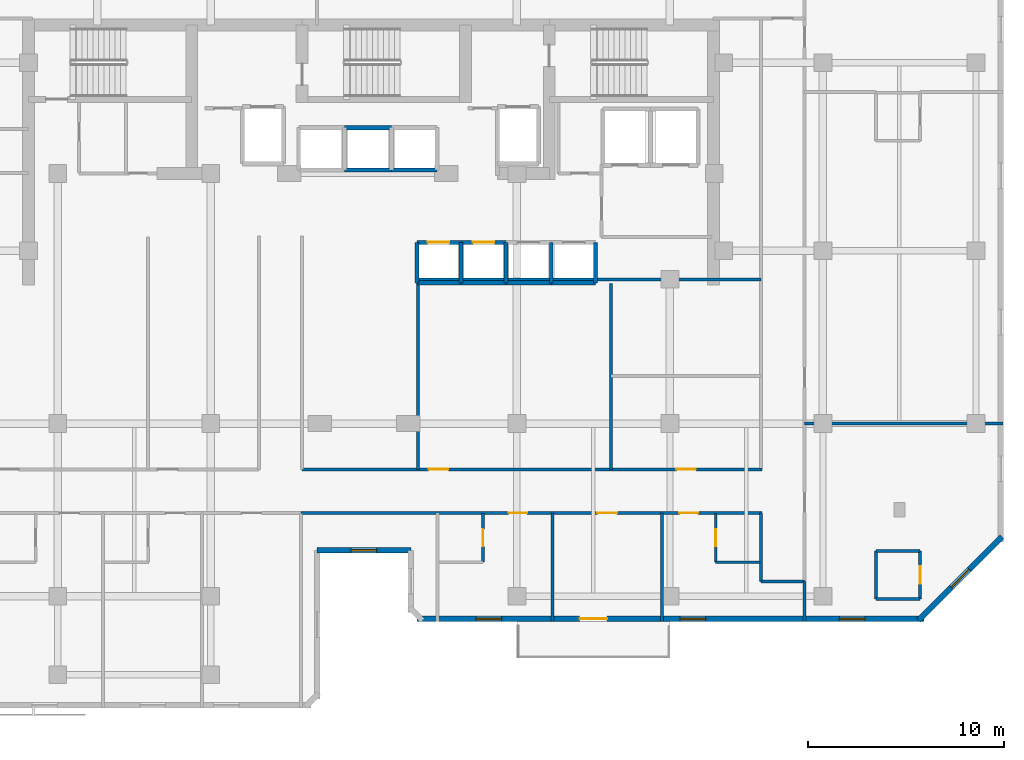
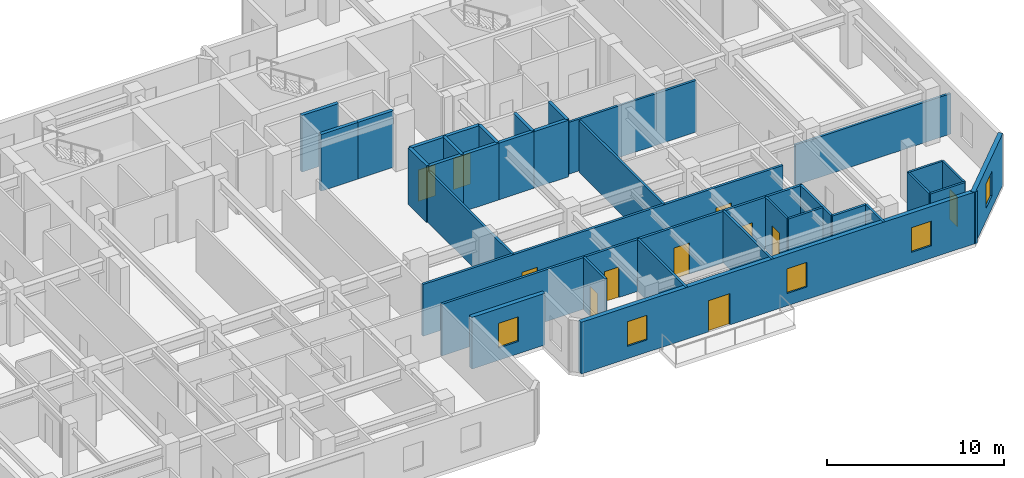
# One storey, part 6 of 11: 35 walls, 11 doors, 5 windows, 16 openings.
"""IFC4 building model written with IfcOpenShell, lengths in metres."""

from ifc_helpers import new_model, si_unit, direction, frame, frame_2d, origin, place, context, subcontext, project, spatial, rectangle, extrude, material, layer, layer_set, type_object, element, fill, save


model = new_model("IFC4")

# Units and contexts
model_context = context("Model", 3, precision=1e-05, world=origin(), true_north=direction((0.0, 1.0)))
body_context = subcontext(model_context, "Body", "Model", "MODEL_VIEW")
ifc_project = project(units=[si_unit("LENGTHUNIT", "METRE"), si_unit("AREAUNIT", "SQUARE_METRE"), si_unit("VOLUMEUNIT", "CUBIC_METRE"), si_unit("PLANEANGLEUNIT", "RADIAN"), si_unit("MASSUNIT", "GRAM", prefix="KILO")], contexts=[model_context])

# Site, building, storey
site_placement = place(None, origin())
site = spatial("IfcSite", under=ifc_project, at=site_placement, CompositionType="ELEMENT")
building_placement = place(site_placement, origin())
building = spatial("IfcBuilding", under=site, at=building_placement, Name="Kestravale Grand Hotel", CompositionType="ELEMENT")
storey_placement = place(building_placement, frame((0.0, 0.0, 228.0)))
storey = spatial("IfcBuildingStorey", under=building, at=storey_placement, Name="L57", CompositionType="ELEMENT", Elevation=228.0)

# Wall, opening, window
ifc_material_1 = material(Name="Precast concrete f'c 45 MPa", Category="concrete")
ifc_layer_1 = layer(ifc_material_1, 0.280029296875)
ifc_layer_set_1 = layer_set([ifc_layer_1], Name="EW-PREC-280")
wall_type_1 = type_object("IfcWallType", Name="EW-PREC-280", PredefinedType="SOLIDWALL", material=ifc_layer_set_1)
wall_1_placement = place(storey_placement, frame((36.610107421875, 13.5400390625, 0.0), z_axis=(0.0, 0.0, 1.0), x_axis=(1.0, 0.0, 0.0)))
wall_1 = element("IfcWall", 1, at=wall_1_placement, inside=storey, type_object=wall_type_1, Name="L57 fluted precast facade wall 4", PredefinedType="SOLIDWALL", context=body_context, shape_type="SweptSolid", body=[
    extrude(rectangle(XDim=4.77978515625, YDim=0.280029296875, at=frame_2d((2.389892578125, 0.0))), origin(), (0.0, 0.0, 1.0), 3.56005859375),
])
opening_1_placement = place(wall_1_placement, frame((1.739990234375, 0.0, 0.85009765625)))
opening_1 = element("IfcOpeningElement", 2, at=opening_1_placement, cuts=wall_1, Name="Opening W-GUEST-1300", PredefinedType="OPENING", context=body_context, shape_type="SweptSolid", body=[
    extrude(rectangle(XDim=1.300048828125, YDim=1.699951171875, at=frame_2d((0.64990234375, 0.85009765625))), frame((0.0, 0.14990234375, 0.0), z_axis=(0.0, -1.0, 0.0), x_axis=(1.0, 0.0, 0.0)), (0.0, 0.0, 1.0), 0.300048828125),
])
ifc_material_2 = material(Name="Insulated low-E double glazing in aluminium frame", Category="aluminium")
window_type = type_object("IfcWindowType", Name="W-GUEST-1300", PartitioningType="SINGLE_PANEL", PredefinedType="WINDOW", material=ifc_material_2)
window_1_placement = place(opening_1_placement, origin())
window_1 = element("IfcWindow", 3, at=window_1_placement, inside=storey, type_object=window_type, Name="L57 exterior window 4.1", OverallHeight=1.699951171875, OverallWidth=1.300048828125, PartitioningType="SINGLE_PANEL", PredefinedType="WINDOW", context=body_context, shape_type="SweptSolid", body=[
    extrude(rectangle(XDim=1.300048828125, YDim=1.699951171875, at=frame_2d((0.64990234375, 0.85009765625))), frame((0.0, 0.030029296875, 0.0), z_axis=(0.0, -1.0, 0.0), x_axis=(1.0, 0.0, 0.0)), (0.0, 0.0, 1.0), 0.06005859375),
])
fill(opening_1, window_1)

# Wall, openings, door, windows
wall_2_placement = place(storey_placement, frame((41.7099609375, 10.0400390625, 0.0), z_axis=(0.0, 0.0, 1.0), x_axis=(1.0, 0.0, 0.0)))
wall_2 = element("IfcWall", 4, at=wall_2_placement, inside=storey, type_object=wall_type_1, Name="L57 fluted precast facade wall 7", PredefinedType="SOLIDWALL", context=body_context, shape_type="SweptSolid", body=[
    extrude(rectangle(XDim=25.830078125, YDim=0.280029296875, at=frame_2d((12.9150390625, 0.0))), origin(), (0.0, 0.0, 1.0), 3.56005859375),
])
opening_2_placement = place(wall_2_placement, frame((8.2900390625, 0.0, 0.0)))
opening_2 = element("IfcOpeningElement", 5, at=opening_2_placement, cuts=wall_2, Name="Opening D-TERR-1400", PredefinedType="OPENING", context=body_context, shape_type="SweptSolid", body=[
    extrude(rectangle(XDim=1.39990234375, YDim=2.14990234375, at=frame_2d((0.699951171875, 1.074951171875))), frame((0.0, 0.14990234375, 0.0), z_axis=(0.0, -1.0, 0.0), x_axis=(1.0, 0.0, 0.0)), (0.0, 0.0, 1.0), 0.300048828125),
])
opening_3_placement = place(wall_2_placement, frame((3.0048828125, 0.0, 0.85009765625)))
opening_3 = element("IfcOpeningElement", 6, at=opening_3_placement, cuts=wall_2, Name="Opening W-GUEST-1300", PredefinedType="OPENING", context=body_context, shape_type="SweptSolid", body=[
    extrude(rectangle(XDim=1.300048828125, YDim=1.699951171875, at=frame_2d((0.64990234375, 0.85009765625))), frame((0.0, 0.14990234375, 0.0), z_axis=(0.0, -1.0, 0.0), x_axis=(1.0, 0.0, 0.0)), (0.0, 0.0, 1.0), 0.300048828125),
])
opening_4_placement = place(wall_2_placement, frame((13.4150390625, 0.0, 0.85009765625)))
opening_4 = element("IfcOpeningElement", 7, at=opening_4_placement, cuts=wall_2, Name="Opening W-GUEST-1300", PredefinedType="OPENING", context=body_context, shape_type="SweptSolid", body=[
    extrude(rectangle(XDim=1.300048828125, YDim=1.699951171875, at=frame_2d((0.64990234375, 0.85009765625))), frame((0.0, 0.14990234375, 0.0), z_axis=(0.0, -1.0, 0.0), x_axis=(1.0, 0.0, 0.0)), (0.0, 0.0, 1.0), 0.300048828125),
])
opening_5_placement = place(wall_2_placement, frame((21.52490234375, 0.0, 0.85009765625)))
opening_5 = element("IfcOpeningElement", 8, at=opening_5_placement, cuts=wall_2, Name="Opening W-GUEST-1300", PredefinedType="OPENING", context=body_context, shape_type="SweptSolid", body=[
    extrude(rectangle(XDim=1.300048828125, YDim=1.699951171875, at=frame_2d((0.64990234375, 0.85009765625))), frame((0.0, 0.14990234375, 0.0), z_axis=(0.0, -1.0, 0.0), x_axis=(1.0, 0.0, 0.0)), (0.0, 0.0, 1.0), 0.300048828125),
])
ifc_material_3 = material(Name="Insulated glazed champagne-bronze aluminium door", Category="aluminium")
door_type_1 = type_object("IfcDoorType", Name="D-TERR-1400", OperationType="NOTDEFINED", PredefinedType="DOOR", material=ifc_material_3)
door_1_placement = place(opening_2_placement, origin())
door_1 = element("IfcDoor", 9, at=door_1_placement, inside=storey, type_object=door_type_1, Name="L57 outdoor garden terrace door", OperationType="DOUBLE_DOOR_SINGLE_SWING", OverallHeight=2.14990234375, OverallWidth=1.39990234375, PredefinedType="DOOR", context=body_context, shape_type="SweptSolid", body=[
    extrude(rectangle(XDim=1.39990234375, YDim=2.14990234375, at=frame_2d((0.699951171875, 1.074951171875))), frame((0.0, 0.02490234375, 0.0), z_axis=(0.0, -1.0, 0.0), x_axis=(1.0, 0.0, 0.0)), (0.0, 0.0, 1.0), 0.050048828125),
])
fill(opening_2, door_1)
window_2_placement = place(opening_3_placement, origin())
window_2 = element("IfcWindow", 10, at=window_2_placement, inside=storey, type_object=window_type, Name="L57 exterior window 7.1", OverallHeight=1.699951171875, OverallWidth=1.300048828125, PartitioningType="SINGLE_PANEL", PredefinedType="WINDOW", context=body_context, shape_type="SweptSolid", body=[
    extrude(rectangle(XDim=1.300048828125, YDim=1.699951171875, at=frame_2d((0.64990234375, 0.85009765625))), frame((0.0, 0.030029296875, 0.0), z_axis=(0.0, -1.0, 0.0), x_axis=(1.0, 0.0, 0.0)), (0.0, 0.0, 1.0), 0.06005859375),
])
fill(opening_3, window_2)
window_3_placement = place(opening_4_placement, origin())
window_3 = element("IfcWindow", 11, at=window_3_placement, inside=storey, type_object=window_type, Name="L57 exterior window 7.2", OverallHeight=1.699951171875, OverallWidth=1.300048828125, PartitioningType="SINGLE_PANEL", PredefinedType="WINDOW", context=body_context, shape_type="SweptSolid", body=[
    extrude(rectangle(XDim=1.300048828125, YDim=1.699951171875, at=frame_2d((0.64990234375, 0.85009765625))), frame((0.0, 0.030029296875, 0.0), z_axis=(0.0, -1.0, 0.0), x_axis=(1.0, 0.0, 0.0)), (0.0, 0.0, 1.0), 0.06005859375),
])
fill(opening_4, window_3)
window_4_placement = place(opening_5_placement, origin())
window_4 = element("IfcWindow", 12, at=window_4_placement, inside=storey, type_object=window_type, Name="L57 exterior window 7.3", OverallHeight=1.699951171875, OverallWidth=1.300048828125, PartitioningType="SINGLE_PANEL", PredefinedType="WINDOW", context=body_context, shape_type="SweptSolid", body=[
    extrude(rectangle(XDim=1.300048828125, YDim=1.699951171875, at=frame_2d((0.64990234375, 0.85009765625))), frame((0.0, 0.030029296875, 0.0), z_axis=(0.0, -1.0, 0.0), x_axis=(1.0, 0.0, 0.0)), (0.0, 0.0, 1.0), 0.06005859375),
])
fill(opening_5, window_4)

# Wall, opening, window
wall_3_placement = place(storey_placement, frame((67.272705078125, 9.970703125, 0.0), z_axis=(0.0, 0.0, 1.0), x_axis=(0.707106781187, 0.707106781187, 0.0)))
wall_3 = element("IfcWall", 13, at=wall_3_placement, inside=storey, type_object=wall_type_1, Name="L57 fluted precast facade wall 8", PredefinedType="SOLIDWALL", context=body_context, shape_type="SweptSolid", body=[
    extrude(rectangle(XDim=6.019775390625, YDim=0.280029296875, at=frame_2d((3.009765625, 0.0))), origin(), (0.0, 0.0, 1.0), 3.56005859375),
])
opening_6_placement = place(wall_3_placement, frame((2.35986328125, 0.0, 0.85009765625)))
opening_6 = element("IfcOpeningElement", 14, at=opening_6_placement, cuts=wall_3, Name="Opening W-GUEST-1300", PredefinedType="OPENING", context=body_context, shape_type="SweptSolid", body=[
    extrude(rectangle(XDim=1.300048828125, YDim=1.699951171875, at=frame_2d((0.64990234375, 0.85009765625))), frame((0.0, 0.14990234375, 0.0), z_axis=(0.0, -1.0, 0.0), x_axis=(1.0, 0.0, 0.0)), (0.0, 0.0, 1.0), 0.300048828125),
])
window_5_placement = place(opening_6_placement, origin())
window_5 = element("IfcWindow", 15, at=window_5_placement, inside=storey, type_object=window_type, Name="L57 exterior window 8.1", OverallHeight=1.699951171875, OverallWidth=1.300048828125, PartitioningType="SINGLE_PANEL", PredefinedType="WINDOW", context=body_context, shape_type="SweptSolid", body=[
    extrude(rectangle(XDim=1.300048828125, YDim=1.699951171875, at=frame_2d((0.64990234375, 0.85009765625))), frame((0.0, 0.030029296875, 0.0), z_axis=(0.0, -1.0, 0.0), x_axis=(1.0, 0.0, 0.0)), (0.0, 0.0, 1.0), 0.06005859375),
])
fill(opening_6, window_5)

# Wall, openings, doors
ifc_material_4 = material(Name="Acoustic fire-rated gypsum board partition", Category="other")
ifc_layer_2 = layer(ifc_material_4, 0.159912109375)
ifc_layer_set_2 = layer_set([ifc_layer_2], Name="IW-CORR-160")
wall_type_2 = type_object("IfcWallType", Name="IW-CORR-160", PredefinedType="PARTITIONING", material=ifc_layer_set_2)
wall_4_placement = place(storey_placement, frame((35.85009765625, 17.659912109375, 0.0), z_axis=(0.0, 0.0, 1.0), x_axis=(1.0, 0.0, 0.0)))
wall_4 = element("IfcWall", 16, at=wall_4_placement, inside=storey, type_object=wall_type_2, Name="W-L57-CE-N", PredefinedType="PARTITIONING", context=body_context, shape_type="SweptSolid", body=[
    extrude(rectangle(XDim=23.449951171875, YDim=0.159912109375, at=frame_2d((11.72509765625, 0.0))), origin(), (0.0, 0.0, 1.0), 3.56005859375),
])
opening_7_placement = place(wall_4_placement, frame((6.449951171875, 0.0, 0.0)))
opening_7 = element("IfcOpeningElement", 17, at=opening_7_placement, cuts=wall_4, Name="Opening D-GUEST-1000", PredefinedType="OPENING", context=body_context, shape_type="SweptSolid", body=[
    extrude(rectangle(XDim=1.0, YDim=2.14990234375, at=frame_2d((0.5, 1.074951171875))), frame((0.0, 0.08984375, 0.0), z_axis=(0.0, -1.0, 0.0), x_axis=(1.0, 0.0, 0.0)), (0.0, 0.0, 1.0), 0.179931640625),
])
opening_8_placement = place(wall_4_placement, frame((19.074951171875, 0.0, 0.0)))
opening_8 = element("IfcOpeningElement", 18, at=opening_8_placement, cuts=wall_4, Name="Opening D-GUEST-1000", PredefinedType="OPENING", context=body_context, shape_type="SweptSolid", body=[
    extrude(rectangle(XDim=1.0, YDim=2.14990234375, at=frame_2d((0.5, 1.074951171875))), frame((0.0, 0.08984375, 0.0), z_axis=(0.0, -1.0, 0.0), x_axis=(1.0, 0.0, 0.0)), (0.0, 0.0, 1.0), 0.179931640625),
])
ifc_material_5 = material(Name="Accessible walnut veneer hotel entrance fire door", Category="wood")
door_type_2 = type_object("IfcDoorType", Name="D-GUEST-1000", OperationType="NOTDEFINED", PredefinedType="DOOR", material=ifc_material_5)
door_2_placement = place(opening_7_placement, origin())
door_2 = element("IfcDoor", 19, at=door_2_placement, inside=storey, type_object=door_type_2, Name="D-L57-RECL-E1", OperationType="SINGLE_SWING_LEFT", OverallHeight=2.14990234375, OverallWidth=1.0, PredefinedType="DOOR", context=body_context, shape_type="SweptSolid", body=[
    extrude(rectangle(XDim=1.0, YDim=2.14990234375, at=frame_2d((0.5, 1.074951171875))), frame((0.0, 0.02490234375, 0.0), z_axis=(0.0, -1.0, 0.0), x_axis=(1.0, 0.0, 0.0)), (0.0, 0.0, 1.0), 0.050048828125),
])
fill(opening_7, door_2)
door_3_placement = place(opening_8_placement, origin())
door_3 = element("IfcDoor", 20, at=door_3_placement, inside=storey, type_object=door_type_2, Name="D-L57-RECL-E2", OperationType="SINGLE_SWING_RIGHT", OverallHeight=2.14990234375, OverallWidth=1.0, PredefinedType="DOOR", context=body_context, shape_type="SweptSolid", body=[
    extrude(rectangle(XDim=1.0, YDim=2.14990234375, at=frame_2d((0.5, 1.074951171875))), frame((0.0, 0.02490234375, 0.0), z_axis=(0.0, -1.0, 0.0), x_axis=(1.0, 0.0, 0.0)), (0.0, 0.0, 1.0), 0.050048828125),
])
fill(opening_8, door_3)

wall_5_placement = place(storey_placement, frame((35.800048828125, 15.43994140625, 0.0), z_axis=(0.0, 0.0, 1.0), x_axis=(1.0, 0.0, 0.0)))
wall_5 = element("IfcWall", 21, at=wall_5_placement, inside=storey, type_object=wall_type_2, Name="W-L57-CE-S", PredefinedType="PARTITIONING", context=body_context, shape_type="SweptSolid", body=[
    extrude(rectangle(XDim=23.5, YDim=0.159912109375, at=frame_2d((11.75, 0.0))), origin(), (0.0, 0.0, 1.0), 3.56005859375),
])
opening_9_placement = place(wall_5_placement, frame((10.570068359375, 0.0, 0.0)))
opening_9 = element("IfcOpeningElement", 22, at=opening_9_placement, cuts=wall_5, Name="Opening D-GUEST-950", PredefinedType="OPENING", context=body_context, shape_type="SweptSolid", body=[
    extrude(rectangle(XDim=0.949951171875, YDim=2.10009765625, at=frame_2d((0.47509765625, 1.050048828125))), frame((0.0, 0.08984375, 0.0), z_axis=(0.0, -1.0, 0.0), x_axis=(1.0, 0.0, 0.0)), (0.0, 0.0, 1.0), 0.179931640625),
])
opening_10_placement = place(wall_5_placement, frame((15.10498046875, 0.0, 0.0)))
opening_10 = element("IfcOpeningElement", 23, at=opening_10_placement, cuts=wall_5, Name="Opening D-GUEST-1000", PredefinedType="OPENING", context=body_context, shape_type="SweptSolid", body=[
    extrude(rectangle(XDim=1.0, YDim=2.14990234375, at=frame_2d((0.5, 1.074951171875))), frame((0.0, 0.08984375, 0.0), z_axis=(0.0, -1.0, 0.0), x_axis=(1.0, 0.0, 0.0)), (0.0, 0.0, 1.0), 0.179931640625),
])
opening_11_placement = place(wall_5_placement, frame((19.284912109375, 0.0, 0.0)))
opening_11 = element("IfcOpeningElement", 24, at=opening_11_placement, cuts=wall_5, Name="Opening D-GUEST-950", PredefinedType="OPENING", context=body_context, shape_type="SweptSolid", body=[
    extrude(rectangle(XDim=0.949951171875, YDim=2.10009765625, at=frame_2d((0.47509765625, 1.050048828125))), frame((0.0, 0.08984375, 0.0), z_axis=(0.0, -1.0, 0.0), x_axis=(1.0, 0.0, 0.0)), (0.0, 0.0, 1.0), 0.179931640625),
])
door_4_placement = place(opening_10_placement, origin())
door_4 = element("IfcDoor", 25, at=door_4_placement, inside=storey, type_object=door_type_2, Name="D-L57-AME", OperationType="SINGLE_SWING_RIGHT", OverallHeight=2.14990234375, OverallWidth=1.0, PredefinedType="DOOR", context=body_context, shape_type="SweptSolid", body=[
    extrude(rectangle(XDim=1.0, YDim=2.14990234375, at=frame_2d((0.5, 1.074951171875))), frame((0.0, 0.02490234375, 0.0), z_axis=(0.0, -1.0, 0.0), x_axis=(1.0, 0.0, 0.0)), (0.0, 0.0, 1.0), 0.050048828125),
])
fill(opening_10, door_4)
ifc_material_6 = material(Name="Walnut veneer hotel guestroom entrance fire door", Category="wood")
door_type_3 = type_object("IfcDoorType", Name="D-GUEST-950", OperationType="NOTDEFINED", PredefinedType="DOOR", material=ifc_material_6)
door_5_placement = place(opening_9_placement, origin())
door_5 = element("IfcDoor", 26, at=door_5_placement, inside=storey, type_object=door_type_3, Name="D-L57-U03-ENT", OperationType="SINGLE_SWING_LEFT", OverallHeight=2.10009765625, OverallWidth=0.949951171875, PredefinedType="DOOR", context=body_context, shape_type="SweptSolid", body=[
    extrude(rectangle(XDim=0.949951171875, YDim=2.10009765625, at=frame_2d((0.47509765625, 1.050048828125))), frame((0.0, 0.02490234375, 0.0), z_axis=(0.0, -1.0, 0.0), x_axis=(1.0, 0.0, 0.0)), (0.0, 0.0, 1.0), 0.050048828125),
])
fill(opening_9, door_5)
door_6_placement = place(opening_11_placement, origin())
door_6 = element("IfcDoor", 27, at=door_6_placement, inside=storey, type_object=door_type_3, Name="D-L57-U04-ENT", OperationType="SINGLE_SWING_RIGHT", OverallHeight=2.10009765625, OverallWidth=0.949951171875, PredefinedType="DOOR", context=body_context, shape_type="SweptSolid", body=[
    extrude(rectangle(XDim=0.949951171875, YDim=2.10009765625, at=frame_2d((0.47509765625, 1.050048828125))), frame((0.0, 0.02490234375, 0.0), z_axis=(0.0, -1.0, 0.0), x_axis=(1.0, 0.0, 0.0)), (0.0, 0.0, 1.0), 0.050048828125),
])
fill(opening_11, door_6)

# Wall
wall_6_placement = place(storey_placement, frame((59.239990234375, 11.949951171875, 0.0), z_axis=(0.0, 0.0, 1.0), x_axis=(0.0, 1.0, 0.0)))
element("IfcWall", 28, at=wall_6_placement, inside=storey, type_object=wall_type_2, Name="W-L57-SE-W", PredefinedType="PARTITIONING", context=body_context, shape_type="SweptSolid", body=[
    extrude(rectangle(XDim=3.489990234375, YDim=0.159912109375, at=frame_2d((1.7451171875, 0.0))), origin(), (0.0, 0.0, 1.0), 3.56005859375),
])

# Wall, opening, door
ifc_material_7 = material(Name="Moisture-resistant tile-backer plumbing chase wall", Category="other")
ifc_layer_3 = layer(ifc_material_7, 0.139892578125)
ifc_layer_set_3 = layer_set([ifc_layer_3], Name="IW-PLB-140")
wall_type_3 = type_object("IfcWallType", Name="IW-PLB-140", PredefinedType="PLUMBINGWALL", material=ifc_layer_set_3)
wall_7_placement = place(storey_placement, frame((45.070068359375, 12.929931640625, 0.0), z_axis=(0.0, 0.0, 1.0), x_axis=(0.0, 1.0, 0.0)))
wall_7 = element("IfcWall", 29, at=wall_7_placement, inside=storey, type_object=wall_type_3, Name="W-L57-U03-BE", PredefinedType="PLUMBINGWALL", context=body_context, shape_type="SweptSolid", body=[
    extrude(rectangle(XDim=2.489990234375, YDim=0.139892578125, at=frame_2d((1.2451171875, 0.0))), origin(), (0.0, 0.0, 1.0), 3.56005859375),
])
opening_12_placement = place(wall_7_placement, frame((0.804931640625, 0.0, 0.0)))
opening_12 = element("IfcOpeningElement", 30, at=opening_12_placement, cuts=wall_7, Name="Opening D-BATH-880", PredefinedType="OPENING", context=body_context, shape_type="SweptSolid", body=[
    extrude(rectangle(XDim=0.8798828125, YDim=2.050048828125, at=frame_2d((0.43994140625, 1.02490234375))), frame((0.0, 0.079833984375, 0.0), z_axis=(0.0, -1.0, 0.0), x_axis=(1.0, 0.0, 0.0)), (0.0, 0.0, 1.0), 0.159912109375),
])
ifc_material_8 = material(Name="Moisture-sealed walnut en-suite bathroom door", Category="wood")
door_type_4 = type_object("IfcDoorType", Name="D-BATH-880", OperationType="NOTDEFINED", PredefinedType="DOOR", material=ifc_material_8)
door_7_placement = place(opening_12_placement, origin())
door_7 = element("IfcDoor", 31, at=door_7_placement, inside=storey, type_object=door_type_4, Name="D-L57-U03-BATH", OperationType="SINGLE_SWING_RIGHT", OverallHeight=2.050048828125, OverallWidth=0.8798828125, PredefinedType="DOOR", context=body_context, shape_type="SweptSolid", body=[
    extrude(rectangle(XDim=0.8798828125, YDim=2.050048828125, at=frame_2d((0.43994140625, 1.02490234375))), frame((0.0, 0.02490234375, 0.0), z_axis=(0.0, -1.0, 0.0), x_axis=(1.0, 0.0, 0.0)), (0.0, 0.0, 1.0), 0.050048828125),
])
fill(opening_12, door_7)

wall_8_placement = place(storey_placement, frame((56.929931640625, 12.929931640625, 0.0), z_axis=(0.0, 0.0, 1.0), x_axis=(0.0, 1.0, 0.0)))
wall_8 = element("IfcWall", 32, at=wall_8_placement, inside=storey, type_object=wall_type_3, Name="W-L57-U04-BW", PredefinedType="PLUMBINGWALL", context=body_context, shape_type="SweptSolid", body=[
    extrude(rectangle(XDim=2.489990234375, YDim=0.139892578125, at=frame_2d((1.2451171875, 0.0))), origin(), (0.0, 0.0, 1.0), 3.56005859375),
])
opening_13_placement = place(wall_8_placement, frame((0.804931640625, 0.0, 0.0)))
opening_13 = element("IfcOpeningElement", 33, at=opening_13_placement, cuts=wall_8, Name="Opening D-BATH-880", PredefinedType="OPENING", context=body_context, shape_type="SweptSolid", body=[
    extrude(rectangle(XDim=0.8798828125, YDim=2.050048828125, at=frame_2d((0.43994140625, 1.02490234375))), frame((0.0, 0.079833984375, 0.0), z_axis=(0.0, -1.0, 0.0), x_axis=(1.0, 0.0, 0.0)), (0.0, 0.0, 1.0), 0.159912109375),
])
door_8_placement = place(opening_13_placement, origin())
door_8 = element("IfcDoor", 34, at=door_8_placement, inside=storey, type_object=door_type_4, Name="D-L57-U04-BATH", OperationType="SINGLE_SWING_LEFT", OverallHeight=2.050048828125, OverallWidth=0.8798828125, PredefinedType="DOOR", context=body_context, shape_type="SweptSolid", body=[
    extrude(rectangle(XDim=0.8798828125, YDim=2.050048828125, at=frame_2d((0.43994140625, 1.02490234375))), frame((0.0, 0.02490234375, 0.0), z_axis=(0.0, -1.0, 0.0), x_axis=(1.0, 0.0, 0.0)), (0.0, 0.0, 1.0), 0.050048828125),
])
fill(opening_13, door_8)

# Walls
wall_9_placement = place(storey_placement, frame((56.929931640625, 12.929931640625, 0.0), z_axis=(0.0, 0.0, 1.0), x_axis=(1.0, 0.0, 0.0)))
element("IfcWall", 35, at=wall_9_placement, inside=storey, type_object=wall_type_3, Name="W-L57-U04-BS", PredefinedType="PLUMBINGWALL", context=body_context, shape_type="SweptSolid", body=[
    extrude(rectangle(XDim=2.25, YDim=0.139892578125, at=frame_2d((1.125, 0.0))), origin(), (0.0, 0.0, 1.0), 3.56005859375),
])
wall_10_placement = place(storey_placement, frame((65.10009765625, 11.050048828125, 0.0), z_axis=(0.0, 0.0, 1.0), x_axis=(0.0, 1.0, 0.0)))
element("IfcWall", 36, at=wall_10_placement, inside=storey, type_object=wall_type_3, Name="W-L57-U09-BW", PredefinedType="PLUMBINGWALL", context=body_context, shape_type="SweptSolid", body=[
    extrude(rectangle(XDim=2.449951171875, YDim=0.139892578125, at=frame_2d((1.22509765625, 0.0))), origin(), (0.0, 0.0, 1.0), 3.56005859375),
])

# Wall, opening, door
wall_11_placement = place(storey_placement, frame((67.35009765625, 11.050048828125, 0.0), z_axis=(0.0, 0.0, 1.0), x_axis=(0.0, 1.0, 0.0)))
wall_11 = element("IfcWall", 37, at=wall_11_placement, inside=storey, type_object=wall_type_3, Name="W-L57-U09-BE", PredefinedType="PLUMBINGWALL", context=body_context, shape_type="SweptSolid", body=[
    extrude(rectangle(XDim=2.449951171875, YDim=0.139892578125, at=frame_2d((1.22509765625, 0.0))), origin(), (0.0, 0.0, 1.0), 3.56005859375),
])
opening_14_placement = place(wall_11_placement, frame((0.784912109375, 0.0, 0.0)))
opening_14 = element("IfcOpeningElement", 38, at=opening_14_placement, cuts=wall_11, Name="Opening D-BATH-880", PredefinedType="OPENING", context=body_context, shape_type="SweptSolid", body=[
    extrude(rectangle(XDim=0.8798828125, YDim=2.050048828125, at=frame_2d((0.43994140625, 1.02490234375))), frame((0.0, 0.079833984375, 0.0), z_axis=(0.0, -1.0, 0.0), x_axis=(1.0, 0.0, 0.0)), (0.0, 0.0, 1.0), 0.159912109375),
])
door_9_placement = place(opening_14_placement, origin())
door_9 = element("IfcDoor", 39, at=door_9_placement, inside=storey, type_object=door_type_4, Name="D-L57-U09-BATH", OperationType="SINGLE_SWING_RIGHT", OverallHeight=2.050048828125, OverallWidth=0.8798828125, PredefinedType="DOOR", context=body_context, shape_type="SweptSolid", body=[
    extrude(rectangle(XDim=0.8798828125, YDim=2.050048828125, at=frame_2d((0.43994140625, 1.02490234375))), frame((0.0, 0.02490234375, 0.0), z_axis=(0.0, -1.0, 0.0), x_axis=(1.0, 0.0, 0.0)), (0.0, 0.0, 1.0), 0.050048828125),
])
fill(opening_14, door_9)

# Walls
for number, where, z_axis, x_axis, name in (
    (40, (65.10009765625, 11.050048828125, 0.0), (0.0, 0.0, 1.0), (1.0, 0.0, 0.0), "W-L57-U09-BS"),
    (41, (65.10009765625, 13.5, 0.0), (0.0, 0.0, 1.0), (1.0, 0.0, 0.0), "W-L57-U09-BN"),
):
    element("IfcWall", number, at=place(storey_placement, frame(where, z_axis=z_axis, x_axis=x_axis)), inside=storey, type_object=wall_type_3, Name=name, PredefinedType="PLUMBINGWALL", context=body_context, shape_type="SweptSolid", body=[
        extrude(rectangle(XDim=2.25, YDim=0.139892578125, at=frame_2d((1.125, 0.0))), origin(), (0.0, 0.0, 1.0), 3.56005859375),
    ])
ifc_material_9 = material(Name="Concrete f'c 45 MPa", Category="concrete")
ifc_layer_4 = layer(ifc_material_9, 0.199951171875)
ifc_layer_set_4 = layer_set([ifc_layer_4], Name="IW-SHAFT-200")
wall_type_4 = type_object("IfcWallType", Name="IW-SHAFT-200", PredefinedType="SHEAR", material=ifc_layer_set_4)
for number, where, z_axis, x_axis, name in (
    (42, (41.705078125, 27.169921875, 0.0), (0.0, 0.0, 1.0), (0.0, 1.0, 0.0), "L57 PL-M1 west shaft wall"),
    (43, (43.949951171875, 27.169921875, 0.0), (0.0, 0.0, 1.0), (0.0, 1.0, 0.0), "L57 PL-M2 west shaft wall"),
    (44, (46.25, 27.169921875, 0.0), (0.0, 0.0, 1.0), (0.0, 1.0, 0.0), "L57 PL-M3 west shaft wall"),
    (45, (48.550048828125, 27.169921875, 0.0), (0.0, 0.0, 1.0), (0.0, 1.0, 0.0), "L57 PL-M4 west shaft wall"),
    (46, (50.794921875, 27.169921875, 0.0), (0.0, 0.0, 1.0), (0.0, 1.0, 0.0), "L57 PL-M4 east shaft wall"),
):
    element("IfcWall", number, at=place(storey_placement, frame(where, z_axis=z_axis, x_axis=x_axis)), inside=storey, type_object=wall_type_4, Name=name, PredefinedType="SHEAR", context=body_context, shape_type="SweptSolid", body=[
        extrude(rectangle(XDim=2.06005859375, YDim=0.199951171875, at=frame_2d((1.030029296875, 0.0))), origin(), (0.0, 0.0, 1.0), 3.89990234375),
    ])

# Wall, opening, door
ifc_material_10 = material(Name="Concrete f'c 45 MPa", Category="concrete")
ifc_layer_5 = layer(ifc_material_10, 0.219970703125)
ifc_layer_set_5 = layer_set([ifc_layer_5], Name="IW-SHAFT-220")
wall_type_5 = type_object("IfcWallType", Name="IW-SHAFT-220", PredefinedType="SHEAR", material=ifc_layer_set_5)
wall_12_placement = place(storey_placement, frame((41.705078125, 29.22998046875, 0.0), z_axis=(0.0, 0.0, 1.0), x_axis=(1.0, 0.0, 0.0)))
wall_12 = element("IfcWall", 47, at=wall_12_placement, inside=storey, type_object=wall_type_5, Name="L57 PL-M1 north shaft wall", PredefinedType="SHEAR", context=body_context, shape_type="SweptSolid", body=[
    extrude(rectangle(XDim=2.244873046875, YDim=0.219970703125, at=frame_2d((1.12255859375, 0.0))), origin(), (0.0, 0.0, 1.0), 3.89990234375),
])
opening_15_placement = place(wall_12_placement, frame((0.544921875, 0.0, 0.0)))
opening_15 = element("IfcOpeningElement", 48, at=opening_15_placement, cuts=wall_12, Name="Opening LD-PAX-1100", PredefinedType="OPENING", context=body_context, shape_type="SweptSolid", body=[
    extrude(rectangle(XDim=1.10009765625, YDim=2.14990234375, at=frame_2d((0.550048828125, 1.074951171875))), frame((0.0, 0.119873046875, 0.0), z_axis=(0.0, -1.0, 0.0), x_axis=(1.0, 0.0, 0.0)), (0.0, 0.0, 1.0), 0.239990234375),
])
ifc_material_11 = material(Name="Champagne-bronze center-opening sliding elevator landing door", Category="steel")
door_type_5 = type_object("IfcDoorType", Name="LD-PAX-1100", OperationType="NOTDEFINED", PredefinedType="DOOR", material=ifc_material_11)
door_10_placement = place(opening_15_placement, origin())
door_10 = element("IfcDoor", 49, at=door_10_placement, inside=storey, type_object=door_type_5, Name="L57 PL-M1 elevator landing sliding door", OperationType="DOUBLE_DOOR_SLIDING", OverallHeight=2.14990234375, OverallWidth=1.10009765625, PredefinedType="DOOR", context=body_context, shape_type="SweptSolid", body=[
    extrude(rectangle(XDim=1.10009765625, YDim=2.14990234375, at=frame_2d((0.550048828125, 1.074951171875))), frame((0.0, 0.02490234375, 0.0), z_axis=(0.0, -1.0, 0.0), x_axis=(1.0, 0.0, 0.0)), (0.0, 0.0, 1.0), 0.050048828125),
])
fill(opening_15, door_10)

# Wall
wall_13_placement = place(storey_placement, frame((41.705078125, 27.169921875, 0.0), z_axis=(0.0, 0.0, 1.0), x_axis=(1.0, 0.0, 0.0)))
element("IfcWall", 50, at=wall_13_placement, inside=storey, type_object=wall_type_5, Name="L57 PL-M1 south shaft wall", PredefinedType="SHEAR", context=body_context, shape_type="SweptSolid", body=[
    extrude(rectangle(XDim=2.244873046875, YDim=0.219970703125, at=frame_2d((1.12255859375, 0.0))), origin(), (0.0, 0.0, 1.0), 3.89990234375),
])

# Wall, opening, door
wall_14_placement = place(storey_placement, frame((43.949951171875, 29.22998046875, 0.0), z_axis=(0.0, 0.0, 1.0), x_axis=(1.0, 0.0, 0.0)))
wall_14 = element("IfcWall", 51, at=wall_14_placement, inside=storey, type_object=wall_type_5, Name="L57 PL-M2 north shaft wall", PredefinedType="SHEAR", context=body_context, shape_type="SweptSolid", body=[
    extrude(rectangle(XDim=2.300048828125, YDim=0.219970703125, at=frame_2d((1.14990234375, 0.0))), origin(), (0.0, 0.0, 1.0), 3.89990234375),
])
opening_16_placement = place(wall_14_placement, frame((0.60009765625, 0.0, 0.0)))
opening_16 = element("IfcOpeningElement", 52, at=opening_16_placement, cuts=wall_14, Name="Opening LD-PAX-1100", PredefinedType="OPENING", context=body_context, shape_type="SweptSolid", body=[
    extrude(rectangle(XDim=1.10009765625, YDim=2.14990234375, at=frame_2d((0.550048828125, 1.074951171875))), frame((0.0, 0.119873046875, 0.0), z_axis=(0.0, -1.0, 0.0), x_axis=(1.0, 0.0, 0.0)), (0.0, 0.0, 1.0), 0.239990234375),
])
door_11_placement = place(opening_16_placement, origin())
door_11 = element("IfcDoor", 53, at=door_11_placement, inside=storey, type_object=door_type_5, Name="L57 PL-M2 elevator landing sliding door", OperationType="DOUBLE_DOOR_SLIDING", OverallHeight=2.14990234375, OverallWidth=1.10009765625, PredefinedType="DOOR", context=body_context, shape_type="SweptSolid", body=[
    extrude(rectangle(XDim=1.10009765625, YDim=2.14990234375, at=frame_2d((0.550048828125, 1.074951171875))), frame((0.0, 0.02490234375, 0.0), z_axis=(0.0, -1.0, 0.0), x_axis=(1.0, 0.0, 0.0)), (0.0, 0.0, 1.0), 0.050048828125),
])
fill(opening_16, door_11)

# Walls
for number, where, z_axis, x_axis, name in (
    (54, (43.949951171875, 27.169921875, 0.0), (0.0, 0.0, 1.0), (1.0, 0.0, 0.0), "L57 PL-M2 south shaft wall"),
    (55, (46.25, 27.169921875, 0.0), (0.0, 0.0, 1.0), (1.0, 0.0, 0.0), "L57 PL-M3 south shaft wall"),
):
    element("IfcWall", number, at=place(storey_placement, frame(where, z_axis=z_axis, x_axis=x_axis)), inside=storey, type_object=wall_type_5, Name=name, PredefinedType="SHEAR", context=body_context, shape_type="SweptSolid", body=[
        extrude(rectangle(XDim=2.300048828125, YDim=0.219970703125, at=frame_2d((1.14990234375, 0.0))), origin(), (0.0, 0.0, 1.0), 3.89990234375),
    ])
wall_15_placement = place(storey_placement, frame((48.550048828125, 27.169921875, 0.0), z_axis=(0.0, 0.0, 1.0), x_axis=(1.0, 0.0, 0.0)))
element("IfcWall", 56, at=wall_15_placement, inside=storey, type_object=wall_type_5, Name="L57 PL-M4 south shaft wall", PredefinedType="SHEAR", context=body_context, shape_type="SweptSolid", body=[
    extrude(rectangle(XDim=2.244873046875, YDim=0.219970703125, at=frame_2d((1.12255859375, 0.0))), origin(), (0.0, 0.0, 1.0), 3.89990234375),
])
for number, where, z_axis, x_axis, name in (
    (57, (38.0, 35.080078125, 0.0), (0.0, 0.0, 1.0), (1.0, 0.0, 0.0), "L57 PL-X2 north shaft wall"),
    (58, (38.0, 32.919921875, 0.0), (0.0, 0.0, 1.0), (1.0, 0.0, 0.0), "L57 PL-X2 south shaft wall"),
):
    element("IfcWall", number, at=place(storey_placement, frame(where, z_axis=z_axis, x_axis=x_axis)), inside=storey, type_object=wall_type_5, Name=name, PredefinedType="SHEAR", context=body_context, shape_type="SweptSolid", body=[
        extrude(rectangle(XDim=2.39990234375, YDim=0.219970703125, at=frame_2d((1.199951171875, 0.0))), origin(), (0.0, 0.0, 1.0), 3.89990234375),
    ])
wall_16_placement = place(storey_placement, frame((40.39990234375, 32.919921875, 0.0), z_axis=(0.0, 0.0, 1.0), x_axis=(1.0, 0.0, 0.0)))
element("IfcWall", 59, at=wall_16_placement, inside=storey, type_object=wall_type_5, Name="L57 PL-X3 south shaft wall", PredefinedType="SHEAR", context=body_context, shape_type="SweptSolid", body=[
    extrude(rectangle(XDim=2.320068359375, YDim=0.219970703125, at=frame_2d((1.16015625, 0.0))), origin(), (0.0, 0.0, 1.0), 3.89990234375),
])
ifc_material_12 = material(Name="Double-stud STC 52 acoustic demising partition", Category="other")
ifc_layer_6 = layer(ifc_material_12, 0.14990234375)
ifc_layer_set_6 = layer_set([ifc_layer_6], Name="IW-UNIT-150")
wall_type_6 = type_object("IfcWallType", Name="IW-UNIT-150", PredefinedType="PARTITIONING", material=ifc_layer_set_6)
wall_17_placement = place(storey_placement, frame((59.239990234375, 11.949951171875, 0.0), z_axis=(0.0, 0.0, 1.0), x_axis=(1.0, 0.0, 0.0)))
element("IfcWall", 60, at=wall_17_placement, inside=storey, type_object=wall_type_6, Name="W-L57-SE-S", PredefinedType="PARTITIONING", context=body_context, shape_type="SweptSolid", body=[
    extrude(rectangle(XDim=2.219970703125, YDim=0.14990234375, at=frame_2d((1.10986328125, 0.0))), origin(), (0.0, 0.0, 1.0), 3.56005859375),
])
wall_18_placement = place(storey_placement, frame((41.75, 17.659912109375, 0.0), z_axis=(0.0, 0.0, 1.0), x_axis=(0.0, 1.0, 0.0)))
element("IfcWall", 61, at=wall_18_placement, inside=storey, type_object=wall_type_6, Name="W-L57-RCLE-W", PredefinedType="PARTITIONING", context=body_context, shape_type="SweptSolid", body=[
    extrude(rectangle(XDim=9.510009765625, YDim=0.14990234375, at=frame_2d((4.7548828125, 0.0))), origin(), (0.0, 0.0, 1.0), 3.56005859375),
])
wall_19_placement = place(storey_placement, frame((51.60009765625, 17.659912109375, 0.0), z_axis=(0.0, 0.0, 1.0), x_axis=(0.0, 1.0, 0.0)))
element("IfcWall", 62, at=wall_19_placement, inside=storey, type_object=wall_type_6, Name="W-L57-RCLE-M", PredefinedType="PARTITIONING", context=body_context, shape_type="SweptSolid", body=[
    extrude(rectangle(XDim=9.489990234375, YDim=0.14990234375, at=frame_2d((4.7451171875, 0.0))), origin(), (0.0, 0.0, 1.0), 3.56005859375),
])
wall_20_placement = place(storey_placement, frame((41.75, 27.35009765625, 0.0), z_axis=(0.0, 0.0, 1.0), x_axis=(1.0, 0.0, 0.0)))
element("IfcWall", 63, at=wall_20_placement, inside=storey, type_object=wall_type_6, Name="W-L57-RCLE-N", PredefinedType="PARTITIONING", context=body_context, shape_type="SweptSolid", body=[
    extrude(rectangle(XDim=17.489990234375, YDim=0.14990234375, at=frame_2d((8.7451171875, 0.0))), origin(), (0.0, 0.0, 1.0), 3.56005859375),
])
for number, where, z_axis, x_axis, name in (
    (64, (48.6201171875, 9.919921875, 0.0), (0.0, 0.0, 1.0), (0.0, 1.0, 0.0), "W-L57-ES-2"),
    (65, (54.18994140625, 9.919921875, 0.0), (0.0, 0.0, 1.0), (0.0, 1.0, 0.0), "W-L57-ES-3"),
):
    element("IfcWall", number, at=place(storey_placement, frame(where, z_axis=z_axis, x_axis=x_axis)), inside=storey, type_object=wall_type_6, Name=name, PredefinedType="PARTITIONING", context=body_context, shape_type="SweptSolid", body=[
        extrude(rectangle(XDim=5.52001953125, YDim=0.14990234375, at=frame_2d((2.760009765625, 0.0))), origin(), (0.0, 0.0, 1.0), 3.56005859375),
    ])
wall_21_placement = place(storey_placement, frame((61.4599609375, 9.919921875, 0.0), z_axis=(0.0, 0.0, 1.0), x_axis=(0.0, 1.0, 0.0)))
element("IfcWall", 66, at=wall_21_placement, inside=storey, type_object=wall_type_6, Name="W-L57-SE-EXT", PredefinedType="PARTITIONING", context=body_context, shape_type="SweptSolid", body=[
    extrude(rectangle(XDim=2.030029296875, YDim=0.14990234375, at=frame_2d((1.01513671875, 0.0))), origin(), (0.0, 0.0, 1.0), 3.56005859375),
])
wall_22_placement = place(storey_placement, frame((61.4599609375, 20.0, 0.0), z_axis=(0.0, 0.0, 1.0), x_axis=(1.0, 0.0, 0.0)))
element("IfcWall", 67, at=wall_22_placement, inside=storey, type_object=wall_type_6, Name="W-L57-EW-1", PredefinedType="PARTITIONING", context=body_context, shape_type="SweptSolid", body=[
    extrude(rectangle(XDim=10.1201171875, YDim=0.14990234375, at=frame_2d((5.06005859375, 0.0))), origin(), (0.0, 0.0, 1.0), 2.7880859375),
])

save(model, "model.ifc")
